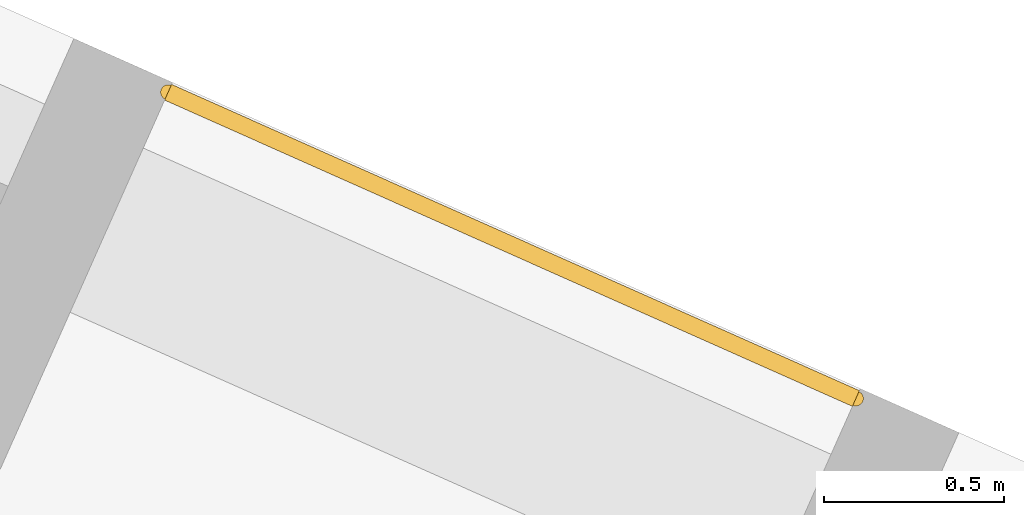
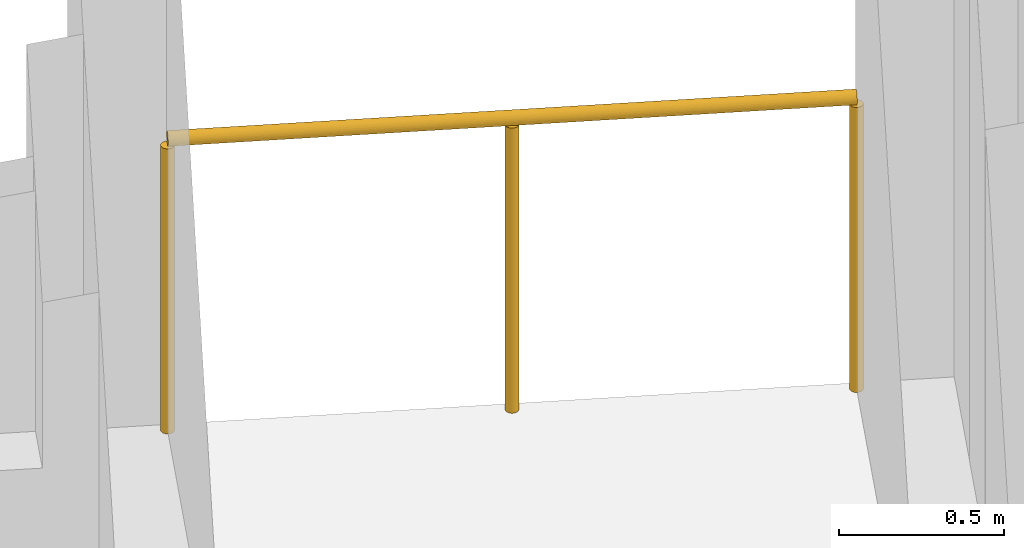
# One storey, part 14 of 14: 1 railing.
"""IFC4 building model written with IfcOpenShell, lengths in metres."""

from ifc_helpers import new_model, si_unit, direction, frame, origin, origin_2d, place, context, subcontext, project, spatial, circle, extrude, material, type_object, element, save


model = new_model("IFC4")

# Units and contexts
model_context = context("Model", 3, precision=1e-05, world=origin(), true_north=direction((0.0, 1.0)))
body_context = subcontext(model_context, "Body", "Model", "MODEL_VIEW")
ifc_project = project(units=[si_unit("LENGTHUNIT", "METRE"), si_unit("AREAUNIT", "SQUARE_METRE"), si_unit("VOLUMEUNIT", "CUBIC_METRE"), si_unit("PLANEANGLEUNIT", "RADIAN"), si_unit("MASSUNIT", "GRAM", prefix="KILO")], contexts=[model_context])

# Site, building, storey
site_placement = place(None, origin())
site = spatial("IfcSite", under=ifc_project, at=site_placement, CompositionType="ELEMENT")
building_placement = place(site_placement, origin())
building = spatial("IfcBuilding", under=site, at=building_placement, Name="Tramontana Tower", CompositionType="ELEMENT")
storey_placement = place(building_placement, frame((0.0, 0.0, 190.800048828125)))
storey = spatial("IfcBuildingStorey", under=building, at=storey_placement, Name="L44", CompositionType="ELEMENT", Elevation=190.800048828125)

# Railing
ifc_material = material(Name="Laminated glass balustrade", Category="glass")
railing_type = type_object("IfcRailingType", Name="GD1 Loggia glass balustrade 1100", PredefinedType="BALUSTRADE", material=ifc_material)
railing_placement = place(storey_placement, frame((26.319091796875, 6.85791015625, 0.0)))
element("IfcRailing", 1, at=railing_placement, inside=storey, type_object=railing_type, Name="Loggia balustrade L44 G4S2.1", PredefinedType="BALUSTRADE", context=body_context, shape_type="SweptSolid", body=[
    extrude(circle(Radius=0.02392578125, at=origin_2d()), frame((0.0, 0.0, 1.076171875), z_axis=(-0.913537312596, 0.406754936657, 0.0), x_axis=(-0.406754936657, -0.913537312596, 0.0)), (0.0, 0.0, 1.0), 2.09423828125),
    extrude(circle(Radius=0.02099609375, at=origin_2d()), origin(), (0.0, 0.0, 1.0), 1.052001953125),
    extrude(circle(Radius=0.02099609375, at=origin_2d()), frame((-0.95654296875, 0.42578125, 0.0)), (0.0, 0.0, 1.0), 1.052001953125),
    extrude(circle(Radius=0.02099609375, at=origin_2d()), frame((-1.9130859375, 0.851806640625, 0.0)), (0.0, 0.0, 1.0), 1.052001953125),
])

save(model, "model.ifc")
